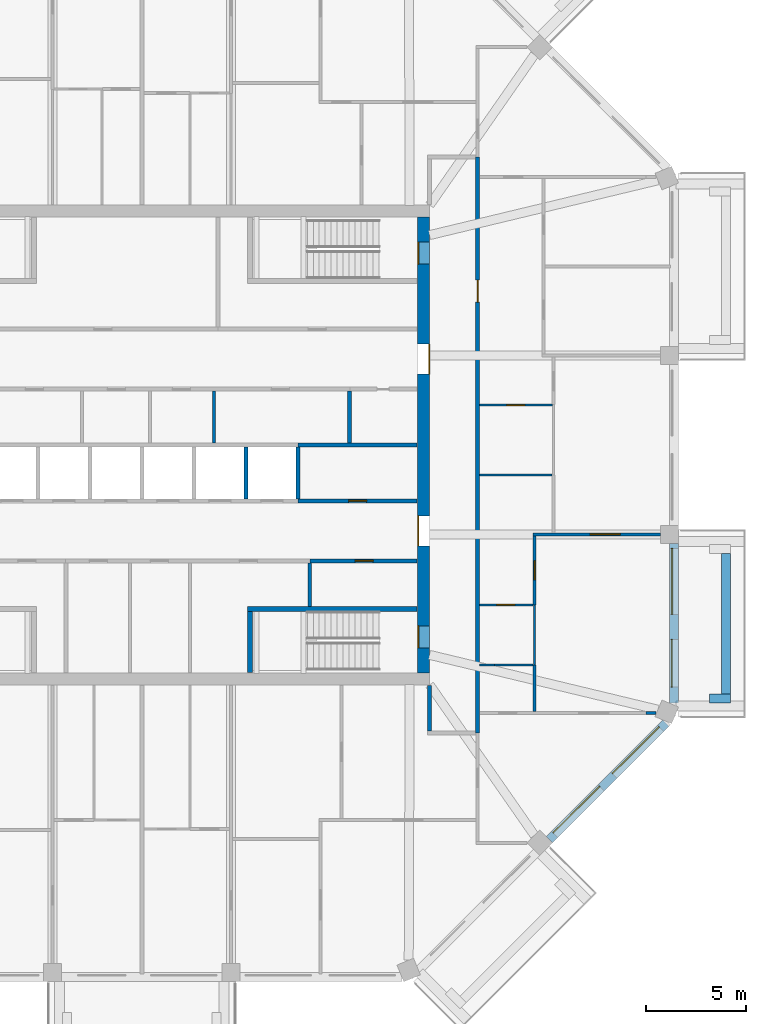
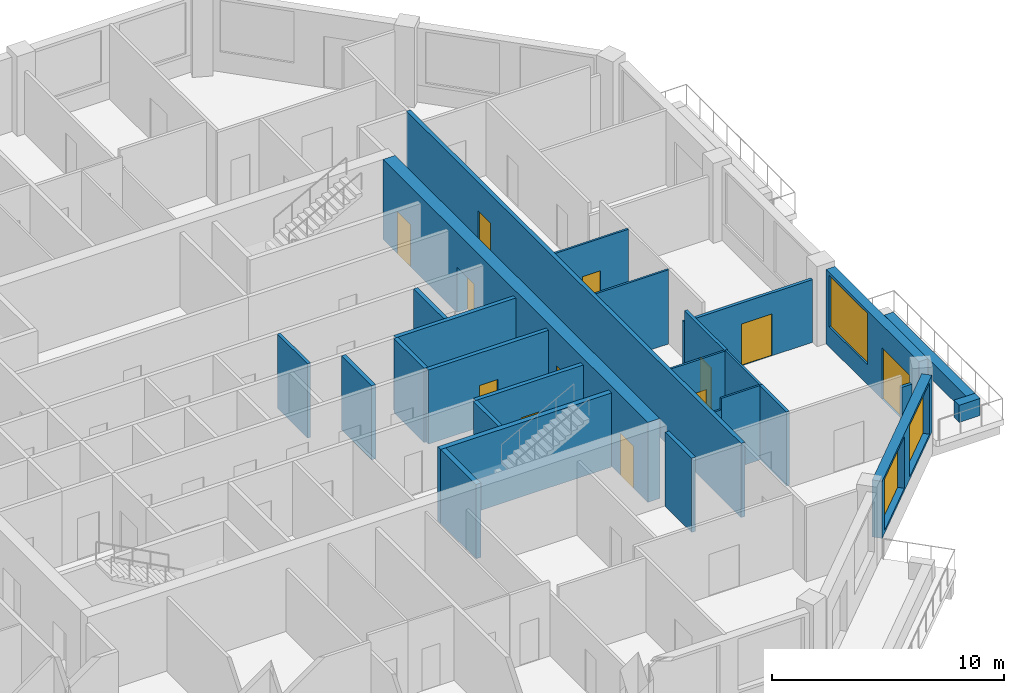
# One storey, part 6 of 12: 27 walls, 12 doors, 3 windows, 15 openings.
"""IFC4 building model written with IfcOpenShell, lengths in metres."""

from ifc_helpers import new_model, si_unit, direction, frame, frame_2d, origin, place, context, subcontext, project, spatial, rectangle, extrude, material, layer, layer_set, type_object, element, fill, save


model = new_model("IFC4")

# Units and contexts
model_context = context("Model", 3, precision=1e-05, world=origin(), true_north=direction((0.0, 1.0)))
body_context = subcontext(model_context, "Body", "Model", "MODEL_VIEW")
ifc_project = project(units=[si_unit("LENGTHUNIT", "METRE"), si_unit("AREAUNIT", "SQUARE_METRE"), si_unit("VOLUMEUNIT", "CUBIC_METRE"), si_unit("PLANEANGLEUNIT", "RADIAN"), si_unit("MASSUNIT", "GRAM", prefix="KILO")], contexts=[model_context])

# Site, building, storey
site_placement = place(None, origin())
site = spatial("IfcSite", under=ifc_project, at=site_placement, CompositionType="ELEMENT")
building_placement = place(site_placement, origin())
building = spatial("IfcBuilding", under=site, at=building_placement, Name="Msitu Wima Residences", CompositionType="ELEMENT")
storey_placement = place(building_placement, frame((0.0, 0.0, 306.300048828125)))
storey = spatial("IfcBuildingStorey", under=building, at=storey_placement, Name="L71", CompositionType="ELEMENT", Elevation=306.300048828125)

# Walls
ifc_material_1 = material(Name="Facing brick")
ifc_layer_1 = layer(ifc_material_1, 0.06494140625, Name="Facing brick")
ifc_material_2 = material(Name="Concrete C40/50", Category="concrete")
ifc_layer_2 = layer(ifc_material_2, 0.156005859375, Name="Concrete C40/50")
ifc_material_3 = material(Name="Waterproofing membrane")
ifc_layer_3 = layer(ifc_material_3, 0.00390625, Name="Waterproofing membrane")
ifc_material_4 = material(Name="Planting soil and planting")
ifc_layer_4 = layer(ifc_material_4, 0.22509765625, Name="Planting soil and planting")
ifc_layer_set_1 = layer_set([ifc_layer_1, ifc_layer_2, ifc_layer_3, ifc_layer_4], Name="Concrete C40/50")
wall_type_1 = type_object("IfcWallType", Name="Balcony planter PLANTER PL450", PredefinedType="USERDEFINED", material=ifc_layer_set_1)
wall_1_placement = place(storey_placement, frame((29.22509765625, -12.455810546875, 0.0), z_axis=(0.0, 0.0, 1.0), x_axis=(0.0, 1.0, 0.0)))
element("IfcWall", 1, at=wall_1_placement, inside=storey, type_object=wall_type_1, Name="Balcony planter E0 L71", ObjectType="PLANTER", PredefinedType="USERDEFINED", context=body_context, shape_type="SweptSolid", body=[
    extrude(rectangle(XDim=7.037109375, YDim=0.449951171875, at=frame_2d((3.5185546875, 0.0))), origin(), (0.0, 0.0, 1.0), 0.89990234375),
])
wall_2_placement = place(storey_placement, frame((28.39990234375, -12.680908203125, 0.0), z_axis=(0.0, 0.0, 1.0), x_axis=(1.0, 0.0, 0.0)))
element("IfcWall", 2, at=wall_2_placement, inside=storey, type_object=wall_type_1, Name="Balcony planter E0 L71", ObjectType="PLANTER", PredefinedType="USERDEFINED", context=body_context, shape_type="SweptSolid", body=[
    extrude(rectangle(XDim=1.050048828125, YDim=0.449951171875, at=frame_2d((0.52490234375, 0.0))), origin(), (0.0, 0.0, 1.0), 0.89990234375),
])

# Wall, openings, door, window
ifc_material_5 = material(Name="Brick (red buff mix)", Category="masonry")
ifc_layer_5 = layer(ifc_material_5, 0.449951171875)
ifc_layer_set_2 = layer_set([ifc_layer_5], Name="Brick (red buff mix)")
wall_type_2 = type_object("IfcWallType", Name="Brick infill wall BW450", PredefinedType="SOLIDWALL", material=ifc_layer_set_2)
wall_3_placement = place(storey_placement, frame((26.625, -12.918701171875, 0.0), z_axis=(0.0, 0.0, 1.0), x_axis=(0.0, 1.0, 0.0)))
wall_3 = element("IfcWall", 3, at=wall_3_placement, inside=storey, type_object=wall_type_2, Name="Brick infill wall L71 E0", PredefinedType="SOLIDWALL", context=body_context, shape_type="SweptSolid", body=[
    extrude(rectangle(XDim=8.0, YDim=0.449951171875, at=frame_2d((4.0, 0.0))), origin(), (0.0, 0.0, 1.0), 3.89990234375),
])
opening_1_placement = place(wall_3_placement, frame((0.800048828125, 0.0, 0.0)))
opening_1 = element("IfcOpeningElement", 4, at=opening_1_placement, cuts=wall_3, Name="Opening D71.001", PredefinedType="OPENING", context=body_context, shape_type="SweptSolid", body=[
    extrude(rectangle(XDim=2.39990234375, YDim=2.699951171875, at=frame_2d((1.199951171875, 1.35009765625))), frame((0.0, 0.23486328125, 0.0), z_axis=(0.0, -1.0, 0.0), x_axis=(1.0, 0.0, 0.0)), (0.0, 0.0, 1.0), 0.469970703125),
])
opening_2_placement = place(wall_3_placement, frame((4.4501953125, 0.0, 1.050048828125)))
opening_2 = element("IfcOpeningElement", 5, at=opening_2_placement, cuts=wall_3, Name="Opening W71.001", PredefinedType="OPENING", context=body_context, shape_type="SweptSolid", body=[
    extrude(rectangle(XDim=3.300048828125, YDim=2.699951171875, at=frame_2d((1.64990234375, 1.35009765625))), frame((0.0, 0.23486328125, 0.0), z_axis=(0.0, -1.0, 0.0), x_axis=(1.0, 0.0, 0.0)), (0.0, 0.0, 1.0), 0.469970703125),
])
ifc_material_6 = material(Name="Anodised aluminium, bronze finish, clear low-emissivity double glazing", Category="aluminium")
door_type_1 = type_object("IfcDoorType", Name="Balcony door D2400x2700", OperationType="SLIDING_TO_LEFT", PredefinedType="DOOR", material=ifc_material_6)
door_1_placement = place(opening_1_placement, origin())
door_1 = element("IfcDoor", 6, at=door_1_placement, inside=storey, type_object=door_type_1, Name="Balcony door L71 E0", OperationType="SINGLE_SWING_LEFT", OverallHeight=2.699951171875, OverallWidth=2.39990234375, PredefinedType="DOOR", context=body_context, shape_type="SweptSolid", body=[
    extrude(rectangle(XDim=2.39990234375, YDim=2.699951171875, at=frame_2d((1.199951171875, 1.35009765625))), frame((0.0, 0.1298828125, 0.0), z_axis=(0.0, -1.0, 0.0), x_axis=(1.0, 0.0, 0.0)), (0.0, 0.0, 1.0), 0.050048828125),
])
fill(opening_1, door_1)
window_type = type_object("IfcWindowType", Name="Window W3300x2700", PartitioningType="DOUBLE_PANEL_VERTICAL", PredefinedType="WINDOW", material=ifc_material_6)
window_1_placement = place(opening_2_placement, origin())
window_1 = element("IfcWindow", 7, at=window_1_placement, inside=storey, type_object=window_type, Name="Window L71 E0.2", OverallHeight=2.699951171875, OverallWidth=3.300048828125, PartitioningType="SINGLE_PANEL", PredefinedType="WINDOW", context=body_context, shape_type="SweptSolid", body=[
    extrude(rectangle(XDim=3.300048828125, YDim=2.699951171875, at=frame_2d((1.64990234375, 1.35009765625))), frame((0.0, 0.135009765625, 0.0), z_axis=(0.0, -1.0, 0.0), x_axis=(1.0, 0.0, 0.0)), (0.0, 0.0, 1.0), 0.06005859375),
])
fill(opening_2, window_1)

# Wall, openings, windows
wall_4_placement = place(storey_placement, frame((20.380126953125, -19.743896484375, 0.89990234375), z_axis=(0.0, 0.0, 1.0), x_axis=(0.707106781187, 0.707106781187, 0.0)))
wall_4 = element("IfcWall", 8, at=wall_4_placement, inside=storey, type_object=wall_type_2, Name="Brick infill wall L71 SE1", PredefinedType="SOLIDWALL", context=body_context, shape_type="SweptSolid", body=[
    extrude(rectangle(XDim=8.251220703125, YDim=0.449951171875, at=frame_2d((4.12548828125, 0.0))), origin(), (0.0, 0.0, 1.0), 3.0),
])
opening_3_placement = place(wall_4_placement, frame((0.37548828125, 0.0, 0.14990234375)))
opening_3 = element("IfcOpeningElement", 9, at=opening_3_placement, cuts=wall_4, Name="Opening W71.022", PredefinedType="OPENING", context=body_context, shape_type="SweptSolid", body=[
    extrude(rectangle(XDim=3.300048828125, YDim=2.699951171875, at=frame_2d((1.64990234375, 1.35009765625))), frame((0.0, 0.23486328125, 0.0), z_axis=(0.0, -1.0, 0.0), x_axis=(1.0, 0.0, 0.0)), (0.0, 0.0, 1.0), 0.469970703125),
])
opening_4_placement = place(wall_4_placement, frame((4.57568359375, 0.0, 0.14990234375)))
opening_4 = element("IfcOpeningElement", 10, at=opening_4_placement, cuts=wall_4, Name="Opening W71.023", PredefinedType="OPENING", context=body_context, shape_type="SweptSolid", body=[
    extrude(rectangle(XDim=3.300048828125, YDim=2.699951171875, at=frame_2d((1.64990234375, 1.35009765625))), frame((0.0, 0.23486328125, 0.0), z_axis=(0.0, -1.0, 0.0), x_axis=(1.0, 0.0, 0.0)), (0.0, 0.0, 1.0), 0.469970703125),
])
window_2_placement = place(opening_3_placement, origin())
window_2 = element("IfcWindow", 11, at=window_2_placement, inside=storey, type_object=window_type, Name="Window L71 SE1.1", OverallHeight=2.699951171875, OverallWidth=3.300048828125, PartitioningType="SINGLE_PANEL", PredefinedType="WINDOW", context=body_context, shape_type="SweptSolid", body=[
    extrude(rectangle(XDim=3.300048828125, YDim=2.699951171875, at=frame_2d((1.64990234375, 1.35009765625))), frame((0.0, 0.135009765625, 0.0), z_axis=(0.0, -1.0, 0.0), x_axis=(1.0, 0.0, 0.0)), (0.0, 0.0, 1.0), 0.06005859375),
])
fill(opening_3, window_2)
window_3_placement = place(opening_4_placement, origin())
window_3 = element("IfcWindow", 12, at=window_3_placement, inside=storey, type_object=window_type, Name="Window L71 SE1.2", OverallHeight=2.699951171875, OverallWidth=3.300048828125, PartitioningType="SINGLE_PANEL", PredefinedType="WINDOW", context=body_context, shape_type="SweptSolid", body=[
    extrude(rectangle(XDim=3.300048828125, YDim=2.699951171875, at=frame_2d((1.64990234375, 1.35009765625))), frame((0.0, 0.135009765625, 0.0), z_axis=(0.0, -1.0, 0.0), x_axis=(1.0, 0.0, 0.0)), (0.0, 0.0, 1.0), 0.06005859375),
])
fill(opening_4, window_3)

# Wall, openings, doors
ifc_material_7 = material(Name="Concrete C50/60", Category="concrete")
ifc_layer_6 = layer(ifc_material_7, 0.60009765625)
ifc_layer_set_3 = layer_set([ifc_layer_6], Name="Concrete C50/60")
wall_type_3 = type_object("IfcWallType", Name="Core wall CW600 C50/60", PredefinedType="SHEAR", material=ifc_layer_set_3)
wall_5_placement = place(storey_placement, frame((14.10009765625, -11.39990234375, 0.0), z_axis=(0.0, 0.0, 1.0), x_axis=(0.0, 1.0, 0.0)))
wall_5 = element("IfcWall", 13, at=wall_5_placement, inside=storey, type_object=wall_type_3, Name="Core wall", PredefinedType="SHEAR", context=body_context, shape_type="SweptSolid", body=[
    extrude(rectangle(XDim=22.7998046875, YDim=0.60009765625, at=frame_2d((11.39990234375, 0.0))), origin(), (0.0, 0.0, 1.0), 4.199951171875),
])
opening_5_placement = place(wall_5_placement, frame((20.449951171875, 0.0, 0.0)))
opening_5 = element("IfcOpeningElement", 14, at=opening_5_placement, cuts=wall_5, Name="Opening D71.088", PredefinedType="OPENING", context=body_context, shape_type="SweptSolid", body=[
    extrude(rectangle(XDim=1.10009765625, YDim=2.199951171875, at=frame_2d((0.550048828125, 1.10009765625))), frame((0.0, 0.31005859375, 0.0), z_axis=(0.0, -1.0, 0.0), x_axis=(1.0, 0.0, 0.0)), (0.0, 0.0, 1.0), 0.6201171875),
])
opening_6_placement = place(wall_5_placement, frame((1.25, 0.0, 0.0)))
opening_6 = element("IfcOpeningElement", 15, at=opening_6_placement, cuts=wall_5, Name="Opening D71.089", PredefinedType="OPENING", context=body_context, shape_type="SweptSolid", body=[
    extrude(rectangle(XDim=1.10009765625, YDim=2.199951171875, at=frame_2d((0.550048828125, 1.10009765625))), frame((0.0, 0.31005859375, 0.0), z_axis=(0.0, -1.0, 0.0), x_axis=(1.0, 0.0, 0.0)), (0.0, 0.0, 1.0), 0.6201171875),
])
opening_7_placement = place(wall_5_placement, frame((14.949951171875, 0.0, 0.0)))
opening_7 = element("IfcOpeningElement", 16, at=opening_7_placement, cuts=wall_5, Name="Opening D71.076", PredefinedType="OPENING", context=body_context, shape_type="SweptSolid", body=[
    extrude(rectangle(XDim=1.5, YDim=2.39990234375, at=frame_2d((0.75, 1.199951171875))), frame((0.0, 0.31005859375, 0.0), z_axis=(0.0, -1.0, 0.0), x_axis=(1.0, 0.0, 0.0)), (0.0, 0.0, 1.0), 0.6201171875),
])
opening_8_placement = place(wall_5_placement, frame((6.35009765625, 0.0, 0.0)))
opening_8 = element("IfcOpeningElement", 17, at=opening_8_placement, cuts=wall_5, Name="Opening D71.077", PredefinedType="OPENING", context=body_context, shape_type="SweptSolid", body=[
    extrude(rectangle(XDim=1.5, YDim=2.39990234375, at=frame_2d((0.75, 1.199951171875))), frame((0.0, 0.31005859375, 0.0), z_axis=(0.0, -1.0, 0.0), x_axis=(1.0, 0.0, 0.0)), (0.0, 0.0, 1.0), 0.6201171875),
])
ifc_material_8 = material(Name="Steel framed glazed door, fire resisting", Category="steel")
door_type_2 = type_object("IfcDoorType", Name="Lobby door D07 1500x2400", OperationType="DOUBLE_DOOR_SINGLE_SWING", PredefinedType="DOOR", material=ifc_material_8)
door_2_placement = place(opening_7_placement, origin())
door_2 = element("IfcDoor", 18, at=door_2_placement, inside=storey, type_object=door_type_2, Name="Lobby door", OperationType="DOUBLE_DOOR_SINGLE_SWING", OverallHeight=2.39990234375, OverallWidth=1.5, PredefinedType="DOOR", context=body_context, shape_type="SweptSolid", body=[
    extrude(rectangle(XDim=1.5, YDim=2.39990234375, at=frame_2d((0.75, 1.199951171875))), frame((0.0, -0.2451171875, 0.0), z_axis=(0.0, -1.0, 0.0), x_axis=(1.0, 0.0, 0.0)), (0.0, 0.0, 1.0), 0.050048828125),
])
fill(opening_7, door_2)
door_3_placement = place(opening_8_placement, origin())
door_3 = element("IfcDoor", 19, at=door_3_placement, inside=storey, type_object=door_type_2, Name="Lobby door", OperationType="DOUBLE_DOOR_SINGLE_SWING", OverallHeight=2.39990234375, OverallWidth=1.5, PredefinedType="DOOR", context=body_context, shape_type="SweptSolid", body=[
    extrude(rectangle(XDim=1.5, YDim=2.39990234375, at=frame_2d((0.75, 1.199951171875))), frame((0.0, 0.294921875, 0.0), z_axis=(0.0, -1.0, 0.0), x_axis=(1.0, 0.0, 0.0)), (0.0, 0.0, 1.0), 0.050048828125),
])
fill(opening_8, door_3)
ifc_material_9 = material(Name="Steel door, fire resisting, panic bar", Category="steel")
door_type_3 = type_object("IfcDoorType", Name="Stair door D06 1100x2200", OperationType="SINGLE_SWING_LEFT", PredefinedType="DOOR", material=ifc_material_9)
door_4_placement = place(opening_5_placement, origin())
door_4 = element("IfcDoor", 20, at=door_4_placement, inside=storey, type_object=door_type_3, Name="Stair door", OperationType="SINGLE_SWING_LEFT", OverallHeight=2.199951171875, OverallWidth=1.10009765625, PredefinedType="DOOR", context=body_context, shape_type="SweptSolid", body=[
    extrude(rectangle(XDim=1.10009765625, YDim=2.199951171875, at=frame_2d((0.550048828125, 1.10009765625))), frame((0.0, 0.294921875, 0.0), z_axis=(0.0, -1.0, 0.0), x_axis=(1.0, 0.0, 0.0)), (0.0, 0.0, 1.0), 0.050048828125),
])
fill(opening_5, door_4)
door_5_placement = place(opening_6_placement, origin())
door_5 = element("IfcDoor", 21, at=door_5_placement, inside=storey, type_object=door_type_3, Name="Stair door", OperationType="SINGLE_SWING_RIGHT", OverallHeight=2.199951171875, OverallWidth=1.10009765625, PredefinedType="DOOR", context=body_context, shape_type="SweptSolid", body=[
    extrude(rectangle(XDim=1.10009765625, YDim=2.199951171875, at=frame_2d((0.550048828125, 1.10009765625))), frame((0.0, 0.294921875, 0.0), z_axis=(0.0, -1.0, 0.0), x_axis=(1.0, 0.0, 0.0)), (0.0, 0.0, 1.0), 0.050048828125),
])
fill(opening_6, door_5)

# Wall
ifc_material_10 = material(Name="Plaster")
ifc_layer_7 = layer(ifc_material_10, 0.011962890625, Name="Plaster")
ifc_material_11 = material(Name="Concrete blockwork", Category="masonry")
ifc_layer_8 = layer(ifc_material_11, 0.176025390625, Name="Concrete blockwork")
ifc_layer_9 = layer(ifc_material_10, 0.011962890625, Name="Plaster")
ifc_layer_set_4 = layer_set([ifc_layer_7, ifc_layer_8, ifc_layer_9], Name="Concrete blockwork")
wall_type_4 = type_object("IfcWallType", Name="Corridor wall FW200", PredefinedType="PARTITIONING", material=ifc_layer_set_4)
wall_6_placement = place(storey_placement, frame((14.39990234375, -14.300048828125, 0.0), z_axis=(0.0, 0.0, 1.0), x_axis=(0.0, 1.0, 0.0)))
element("IfcWall", 22, at=wall_6_placement, inside=storey, type_object=wall_type_4, Name="Corridor wall", PredefinedType="PARTITIONING", context=body_context, shape_type="SweptSolid", body=[
    extrude(rectangle(XDim=2.27001953125, YDim=0.199951171875, at=frame_2d((1.135009765625, 0.0))), origin(), (0.0, 0.0, 1.0), 3.89990234375),
])

# Wall, opening, door
wall_7_placement = place(storey_placement, frame((16.800048828125, -14.39990234375, 0.0), z_axis=(0.0, 0.0, 1.0), x_axis=(0.0, 1.0, 0.0)))
wall_7 = element("IfcWall", 23, at=wall_7_placement, inside=storey, type_object=wall_type_4, Name="Corridor wall", PredefinedType="PARTITIONING", context=body_context, shape_type="SweptSolid", body=[
    extrude(rectangle(XDim=28.7998046875, YDim=0.199951171875, at=frame_2d((14.39990234375, 0.0))), origin(), (0.0, 0.0, 1.0), 3.89990234375),
])
opening_9_placement = place(wall_7_placement, frame((21.550048828125, 0.0, 0.0)))
opening_9 = element("IfcOpeningElement", 24, at=opening_9_placement, cuts=wall_7, Name="Opening D71.011", PredefinedType="OPENING", context=body_context, shape_type="SweptSolid", body=[
    extrude(rectangle(XDim=1.10009765625, YDim=2.39990234375, at=frame_2d((0.550048828125, 1.199951171875))), frame((0.0, 0.10986328125, 0.0), z_axis=(0.0, -1.0, 0.0), x_axis=(1.0, 0.0, 0.0)), (0.0, 0.0, 1.0), 0.219970703125),
])
ifc_material_12 = material(Name="Timber flush door, fire resisting, self-closing", Category="wood")
door_type_4 = type_object("IfcDoorType", Name="Flat entrance door D01 1100x2400", OperationType="SINGLE_SWING_LEFT", PredefinedType="DOOR", material=ifc_material_12)
door_6_placement = place(opening_9_placement, origin())
door_6 = element("IfcDoor", 25, at=door_6_placement, inside=storey, type_object=door_type_4, Name="Flat entrance door", OperationType="SINGLE_SWING_LEFT", OverallHeight=2.39990234375, OverallWidth=1.10009765625, PredefinedType="DOOR", context=body_context, shape_type="SweptSolid", body=[
    extrude(rectangle(XDim=1.10009765625, YDim=2.39990234375, at=frame_2d((0.550048828125, 1.199951171875))), frame((0.0, 0.02490234375, 0.0), z_axis=(0.0, -1.0, 0.0), x_axis=(1.0, 0.0, 0.0)), (0.0, 0.0, 1.0), 0.050048828125),
])
fill(opening_9, door_6)

# Walls
ifc_layer_10 = layer(ifc_material_10, 0.011962890625, Name="Plaster")
ifc_layer_11 = layer(ifc_material_11, 0.1259765625, Name="Concrete blockwork")
ifc_layer_12 = layer(ifc_material_10, 0.011962890625, Name="Plaster")
ifc_layer_set_5 = layer_set([ifc_layer_10, ifc_layer_11, ifc_layer_12], Name="Concrete blockwork")
wall_type_5 = type_object("IfcWallType", Name="Partition PW150", PredefinedType="PARTITIONING", material=ifc_layer_set_5)
wall_8_placement = place(storey_placement, frame((3.60009765625, 0.10009765625, 0.0), z_axis=(0.0, 0.0, 1.0), x_axis=(0.0, 1.0, 0.0)))
element("IfcWall", 26, at=wall_8_placement, inside=storey, type_object=wall_type_5, Name="Partition", PredefinedType="PARTITIONING", context=body_context, shape_type="SweptSolid", body=[
    extrude(rectangle(XDim=2.599853515625, YDim=0.14990234375, at=frame_2d((1.2998046875, 0.0))), origin(), (0.0, 0.0, 1.0), 3.89990234375),
])
wall_9_placement = place(storey_placement, frame((25.22412109375, -13.406005859375, 0.0), z_axis=(0.0, 0.0, 1.0), x_axis=(1.0, 0.0, 0.0)))
element("IfcWall", 27, at=wall_9_placement, inside=storey, type_object=wall_type_5, Name="Partition", PredefinedType="PARTITIONING", context=body_context, shape_type="SweptSolid", body=[
    extrude(rectangle(XDim=0.507080078125, YDim=0.14990234375, at=frame_2d((0.25341796875, 0.0))), origin(), (0.0, 0.0, 1.0), 3.300048828125),
])
wall_10_placement = place(storey_placement, frame((19.64990234375, -13.330810546875, 0.0), z_axis=(0.0, 0.0, 1.0), x_axis=(0.0, 1.0, 0.0)))
element("IfcWall", 28, at=wall_10_placement, inside=storey, type_object=wall_type_5, Name="Partition", PredefinedType="PARTITIONING", context=body_context, shape_type="SweptSolid", body=[
    extrude(rectangle(XDim=2.330810546875, YDim=0.14990234375, at=frame_2d((1.16552734375, 0.0))), origin(), (0.0, 0.0, 1.0), 3.89990234375),
])

# Wall, opening, door
wall_11_placement = place(storey_placement, frame((19.64990234375, -8.0, 0.0), z_axis=(0.0, 0.0, 1.0), x_axis=(0.0, 1.0, 0.0)))
wall_11 = element("IfcWall", 29, at=wall_11_placement, inside=storey, type_object=wall_type_5, Name="Partition", PredefinedType="PARTITIONING", context=body_context, shape_type="SweptSolid", body=[
    extrude(rectangle(XDim=3.456298828125, YDim=0.14990234375, at=frame_2d((1.72802734375, 0.0))), origin(), (0.0, 0.0, 1.0), 3.89990234375),
])
opening_10_placement = place(wall_11_placement, frame((1.25, 0.0, 0.0)))
opening_10 = element("IfcOpeningElement", 30, at=opening_10_placement, cuts=wall_11, Name="Opening D71.015", PredefinedType="OPENING", context=body_context, shape_type="SweptSolid", body=[
    extrude(rectangle(XDim=0.949951171875, YDim=2.199951171875, at=frame_2d((0.47509765625, 1.10009765625))), frame((0.0, 0.0849609375, 0.0), z_axis=(0.0, -1.0, 0.0), x_axis=(1.0, 0.0, 0.0)), (0.0, 0.0, 1.0), 0.169921875),
])
ifc_material_13 = material(Name="Timber flush door", Category="wood")
door_type_5 = type_object("IfcDoorType", Name="Room door D12 950x2200", OperationType="SINGLE_SWING_LEFT", PredefinedType="DOOR", material=ifc_material_13)
door_7_placement = place(opening_10_placement, origin())
door_7 = element("IfcDoor", 31, at=door_7_placement, inside=storey, type_object=door_type_5, Name="Room door", OperationType="SINGLE_SWING_LEFT", OverallHeight=2.199951171875, OverallWidth=0.949951171875, PredefinedType="DOOR", context=body_context, shape_type="SweptSolid", body=[
    extrude(rectangle(XDim=0.949951171875, YDim=2.199951171875, at=frame_2d((0.47509765625, 1.10009765625))), frame((0.0, 0.02490234375, 0.0), z_axis=(0.0, -1.0, 0.0), x_axis=(1.0, 0.0, 0.0)), (0.0, 0.0, 1.0), 0.050048828125),
])
fill(opening_10, door_7)

wall_12_placement = place(storey_placement, frame((19.574951171875, -4.46875, 0.0), z_axis=(0.0, 0.0, 1.0), x_axis=(1.0, 0.0, 0.0)))
wall_12 = element("IfcWall", 32, at=wall_12_placement, inside=storey, type_object=wall_type_5, Name="Partition", PredefinedType="PARTITIONING", context=body_context, shape_type="SweptSolid", body=[
    extrude(rectangle(XDim=6.375, YDim=0.14990234375, at=frame_2d((3.1875, 0.0))), origin(), (0.0, 0.0, 1.0), 3.300048828125),
])
opening_11_placement = place(wall_12_placement, frame((2.85009765625, 0.0, 0.0)))
opening_11 = element("IfcOpeningElement", 33, at=opening_11_placement, cuts=wall_12, Name="Opening D71.033", PredefinedType="OPENING", context=body_context, shape_type="SweptSolid", body=[
    extrude(rectangle(XDim=1.5, YDim=2.199951171875, at=frame_2d((0.75, 1.10009765625))), frame((0.0, 0.0849609375, 0.0), z_axis=(0.0, -1.0, 0.0), x_axis=(1.0, 0.0, 0.0)), (0.0, 0.0, 1.0), 0.169921875),
])
ifc_material_14 = material(Name="Timber double door", Category="wood")
door_type_6 = type_object("IfcDoorType", Name="Double door D04 1500x2200", OperationType="DOUBLE_DOOR_SINGLE_SWING", PredefinedType="DOOR", material=ifc_material_14)
door_8_placement = place(opening_11_placement, origin())
door_8 = element("IfcDoor", 34, at=door_8_placement, inside=storey, type_object=door_type_6, Name="Double door", OperationType="DOUBLE_DOOR_SINGLE_SWING", OverallHeight=2.199951171875, OverallWidth=1.5, PredefinedType="DOOR", context=body_context, shape_type="SweptSolid", body=[
    extrude(rectangle(XDim=1.5, YDim=2.199951171875, at=frame_2d((0.75, 1.10009765625))), frame((0.0, 0.02490234375, 0.0), z_axis=(0.0, -1.0, 0.0), x_axis=(1.0, 0.0, 0.0)), (0.0, 0.0, 1.0), 0.050048828125),
])
fill(opening_11, door_8)

ifc_layer_13 = layer(ifc_material_10, 0.011962890625, Name="Plaster")
ifc_material_15 = material(Name="Reinforced concrete blockwork", Category="masonry")
ifc_layer_14 = layer(ifc_material_15, 0.176025390625, Name="Reinforced concrete blockwork")
ifc_layer_15 = layer(ifc_material_10, 0.011962890625, Name="Plaster")
ifc_layer_set_6 = layer_set([ifc_layer_13, ifc_layer_14, ifc_layer_15], Name="Reinforced concrete blockwork")
wall_type_6 = type_object("IfcWallType", Name="Plant and riser wall PL200", PredefinedType="PARTITIONING", material=ifc_layer_set_6)
wall_13_placement = place(storey_placement, frame((7.800048828125, -2.800048828125, 0.0), z_axis=(0.0, 0.0, 1.0), x_axis=(1.0, 0.0, 0.0)))
wall_13 = element("IfcWall", 35, at=wall_13_placement, inside=storey, type_object=wall_type_6, Name="Plant and riser wall", PredefinedType="PARTITIONING", context=body_context, shape_type="SweptSolid", body=[
    extrude(rectangle(XDim=5.969970703125, YDim=0.199951171875, at=frame_2d((2.98486328125, 0.0))), origin(), (0.0, 0.0, 1.0), 3.89990234375),
])
opening_12_placement = place(wall_13_placement, frame((2.550048828125, 0.0, 0.0)))
opening_12 = element("IfcOpeningElement", 36, at=opening_12_placement, cuts=wall_13, Name="Opening D71.064", PredefinedType="OPENING", context=body_context, shape_type="SweptSolid", body=[
    extrude(rectangle(XDim=0.89990234375, YDim=2.199951171875, at=frame_2d((0.449951171875, 1.10009765625))), frame((0.0, 0.10986328125, 0.0), z_axis=(0.0, -1.0, 0.0), x_axis=(1.0, 0.0, 0.0)), (0.0, 0.0, 1.0), 0.219970703125),
])
door_type_7 = type_object("IfcDoorType", Name="Service door D05 900x2200", OperationType="SINGLE_SWING_LEFT", PredefinedType="DOOR", material=ifc_material_13)
door_9_placement = place(opening_12_placement, origin())
door_9 = element("IfcDoor", 37, at=door_9_placement, inside=storey, type_object=door_type_7, Name="Service door", OperationType="SINGLE_SWING_LEFT", OverallHeight=2.199951171875, OverallWidth=0.89990234375, PredefinedType="DOOR", context=body_context, shape_type="SweptSolid", body=[
    extrude(rectangle(XDim=0.89990234375, YDim=2.199951171875, at=frame_2d((0.449951171875, 1.10009765625))), frame((0.0, 0.02490234375, 0.0), z_axis=(0.0, -1.0, 0.0), x_axis=(1.0, 0.0, 0.0)), (0.0, 0.0, 1.0), 0.050048828125),
])
fill(opening_12, door_9)

# Wall
wall_14_placement = place(storey_placement, frame((7.800048828125, 0.0, 0.0), z_axis=(0.0, 0.0, 1.0), x_axis=(1.0, 0.0, 0.0)))
element("IfcWall", 38, at=wall_14_placement, inside=storey, type_object=wall_type_6, Name="Plant and riser wall", PredefinedType="PARTITIONING", context=body_context, shape_type="SweptSolid", body=[
    extrude(rectangle(XDim=5.969970703125, YDim=0.199951171875, at=frame_2d((2.98486328125, 0.0))), origin(), (0.0, 0.0, 1.0), 3.89990234375),
])

# Wall, opening, door
wall_15_placement = place(storey_placement, frame((8.419921875, -5.800048828125, 0.0), z_axis=(0.0, 0.0, 1.0), x_axis=(1.0, 0.0, 0.0)))
wall_15 = element("IfcWall", 39, at=wall_15_placement, inside=storey, type_object=wall_type_6, Name="Plant and riser wall", PredefinedType="PARTITIONING", context=body_context, shape_type="SweptSolid", body=[
    extrude(rectangle(XDim=5.35009765625, YDim=0.199951171875, at=frame_2d((2.675048828125, 0.0))), origin(), (0.0, 0.0, 1.0), 3.89990234375),
])
opening_13_placement = place(wall_15_placement, frame((2.25, 0.0, 0.0)))
opening_13 = element("IfcOpeningElement", 40, at=opening_13_placement, cuts=wall_15, Name="Opening D71.075", PredefinedType="OPENING", context=body_context, shape_type="SweptSolid", body=[
    extrude(rectangle(XDim=0.89990234375, YDim=2.199951171875, at=frame_2d((0.449951171875, 1.10009765625))), frame((0.0, 0.10986328125, 0.0), z_axis=(0.0, -1.0, 0.0), x_axis=(1.0, 0.0, 0.0)), (0.0, 0.0, 1.0), 0.219970703125),
])
door_10_placement = place(opening_13_placement, origin())
door_10 = element("IfcDoor", 41, at=door_10_placement, inside=storey, type_object=door_type_7, Name="Service door", OperationType="SINGLE_SWING_RIGHT", OverallHeight=2.199951171875, OverallWidth=0.89990234375, PredefinedType="DOOR", context=body_context, shape_type="SweptSolid", body=[
    extrude(rectangle(XDim=0.89990234375, YDim=2.199951171875, at=frame_2d((0.449951171875, 1.10009765625))), frame((0.0, 0.02490234375, 0.0), z_axis=(0.0, -1.0, 0.0), x_axis=(1.0, 0.0, 0.0)), (0.0, 0.0, 1.0), 0.050048828125),
])
fill(opening_13, door_10)

# Walls
wall_16_placement = place(storey_placement, frame((8.39990234375, -8.074951171875, 0.0), z_axis=(0.0, 0.0, 1.0), x_axis=(0.0, 1.0, 0.0)))
element("IfcWall", 42, at=wall_16_placement, inside=storey, type_object=wall_type_6, Name="Plant and riser wall", PredefinedType="PARTITIONING", context=body_context, shape_type="SweptSolid", body=[
    extrude(rectangle(XDim=2.175048828125, YDim=0.199951171875, at=frame_2d((1.08740234375, 0.0))), origin(), (0.0, 0.0, 1.0), 3.89990234375),
])
wall_17_placement = place(storey_placement, frame((10.39990234375, 0.10009765625, 0.0), z_axis=(0.0, 0.0, 1.0), x_axis=(0.0, 1.0, 0.0)))
element("IfcWall", 43, at=wall_17_placement, inside=storey, type_object=wall_type_6, Name="Plant and riser wall", PredefinedType="PARTITIONING", context=body_context, shape_type="SweptSolid", body=[
    extrude(rectangle(XDim=2.599853515625, YDim=0.199951171875, at=frame_2d((1.2998046875, 0.0))), origin(), (0.0, 0.0, 1.0), 3.89990234375),
])
ifc_material_16 = material(Name="Fire-rated board")
ifc_layer_16 = layer(ifc_material_16, 0.02490234375, Name="Fire-rated board")
ifc_material_17 = material(Name="Light-gauge stud framing with mineral wool")
ifc_layer_17 = layer(ifc_material_17, 0.14990234375, Name="Light-gauge stud framing with mineral wool")
ifc_layer_18 = layer(ifc_material_16, 0.02490234375, Name="Fire-rated board")
ifc_layer_set_7 = layer_set([ifc_layer_16, ifc_layer_17, ifc_layer_18], Name="Light-gauge stud framing with mineral wool")
wall_type_7 = type_object("IfcWallType", Name="Shaft wall SH200", PredefinedType="PARTITIONING", material=ifc_layer_set_7)
for number, where, z_axis, x_axis, name in (
    (44, (5.199951171875, -2.699951171875, 0.0), (0.0, 0.0, 1.0), (0.0, 1.0, 0.0), "Shaft wall"),
    (45, (7.800048828125, -2.699951171875, 0.0), (0.0, 0.0, 1.0), (0.0, 1.0, 0.0), "Shaft wall"),
):
    element("IfcWall", number, at=place(storey_placement, frame(where, z_axis=z_axis, x_axis=x_axis)), inside=storey, type_object=wall_type_7, Name=name, PredefinedType="PARTITIONING", context=body_context, shape_type="SweptSolid", body=[
        extrude(rectangle(XDim=2.599853515625, YDim=0.199951171875, at=frame_2d((1.2998046875, 0.0))), origin(), (0.0, 0.0, 1.0), 3.89990234375),
    ])
ifc_layer_19 = layer(ifc_material_7, 0.25)
ifc_layer_set_8 = layer_set([ifc_layer_19], Name="Concrete C50/60")
wall_type_8 = type_object("IfcWallType", Name="Stair enclosure wall SW250", PredefinedType="SHEAR", material=ifc_layer_set_8)
wall_18_placement = place(storey_placement, frame((5.39990234375, -11.3701171875, 0.0), z_axis=(0.0, 0.0, 1.0), x_axis=(0.0, 1.0, 0.0)))
element("IfcWall", 46, at=wall_18_placement, inside=storey, type_object=wall_type_8, Name="Stair enclosure wall", PredefinedType="SHEAR", context=body_context, shape_type="SweptSolid", body=[
    extrude(rectangle(XDim=3.045166015625, YDim=0.25, at=frame_2d((1.5224609375, 0.0))), origin(), (0.0, 0.0, 1.0), 3.89990234375),
])
wall_19_placement = place(storey_placement, frame((5.27490234375, -8.199951171875, 0.0), z_axis=(0.0, 0.0, 1.0), x_axis=(1.0, 0.0, 0.0)))
element("IfcWall", 47, at=wall_19_placement, inside=storey, type_object=wall_type_8, Name="Stair enclosure wall", PredefinedType="SHEAR", context=body_context, shape_type="SweptSolid", body=[
    extrude(rectangle(XDim=8.4951171875, YDim=0.25, at=frame_2d((4.24755859375, 0.0))), origin(), (0.0, 0.0, 1.0), 3.89990234375),
])
ifc_material_18 = material(Name="Ceramic tiles")
ifc_layer_20 = layer(ifc_material_18, 0.008056640625, Name="Ceramic tiles")
ifc_material_19 = material(Name="Moisture-resistant board")
ifc_layer_21 = layer(ifc_material_19, 0.012451171875, Name="Moisture-resistant board")
ifc_layer_22 = layer(ifc_material_17, 0.06689453125, Name="Light-gauge stud framing with mineral wool")
ifc_layer_23 = layer(ifc_material_19, 0.012451171875, Name="Moisture-resistant board")
ifc_layer_set_9 = layer_set([ifc_layer_20, ifc_layer_21, ifc_layer_22, ifc_layer_23], Name="Light-gauge stud framing with mineral wool")
wall_type_9 = type_object("IfcWallType", Name="Wet wall PW100", PredefinedType="PARTITIONING", material=ifc_layer_set_9)
wall_20_placement = place(storey_placement, frame((16.89990234375, -11.0, 0.0), z_axis=(0.0, 0.0, 1.0), x_axis=(1.0, 0.0, 0.0)))
element("IfcWall", 48, at=wall_20_placement, inside=storey, type_object=wall_type_9, Name="Wet wall", PredefinedType="PARTITIONING", context=body_context, shape_type="SweptSolid", body=[
    extrude(rectangle(XDim=0.75390625, YDim=0.10009765625, at=frame_2d((0.376953125, 0.0))), origin(), (0.0, 0.0, 1.0), 3.300048828125),
])
wall_21_placement = place(storey_placement, frame((17.65380859375, -11.0, 0.0), z_axis=(0.0, 0.0, 1.0), x_axis=(1.0, 0.0, 0.0)))
element("IfcWall", 49, at=wall_21_placement, inside=storey, type_object=wall_type_9, Name="Wet wall", PredefinedType="PARTITIONING", context=body_context, shape_type="SweptSolid", body=[
    extrude(rectangle(XDim=1.921142578125, YDim=0.10009765625, at=frame_2d((0.96044921875, 0.0))), origin(), (0.0, 0.0, 1.0), 3.89990234375),
])

# Wall, opening, door
wall_22_placement = place(storey_placement, frame((16.89990234375, -8.0, 0.0), z_axis=(0.0, 0.0, 1.0), x_axis=(1.0, 0.0, 0.0)))
wall_22 = element("IfcWall", 50, at=wall_22_placement, inside=storey, type_object=wall_type_9, Name="Wet wall", PredefinedType="PARTITIONING", context=body_context, shape_type="SweptSolid", body=[
    extrude(rectangle(XDim=2.675048828125, YDim=0.10009765625, at=frame_2d((1.33740234375, 0.0))), origin(), (0.0, 0.0, 1.0), 3.89990234375),
])
opening_14_placement = place(wall_22_placement, frame((0.85009765625, 0.0, 0.0)))
opening_14 = element("IfcOpeningElement", 51, at=opening_14_placement, cuts=wall_22, Name="Opening D71.016", PredefinedType="OPENING", context=body_context, shape_type="SweptSolid", body=[
    extrude(rectangle(XDim=0.89990234375, YDim=2.199951171875, at=frame_2d((0.449951171875, 1.10009765625))), frame((0.0, 0.06005859375, 0.0), z_axis=(0.0, -1.0, 0.0), x_axis=(1.0, 0.0, 0.0)), (0.0, 0.0, 1.0), 0.1201171875),
])
door_11_placement = place(opening_14_placement, origin())
door_11 = element("IfcDoor", 52, at=door_11_placement, inside=storey, type_object=door_type_7, Name="Service door", OperationType="SINGLE_SWING_LEFT", OverallHeight=2.199951171875, OverallWidth=0.89990234375, PredefinedType="DOOR", context=body_context, shape_type="SweptSolid", body=[
    extrude(rectangle(XDim=0.89990234375, YDim=2.199951171875, at=frame_2d((0.449951171875, 1.10009765625))), frame((0.0, 0.02490234375, 0.0), z_axis=(0.0, -1.0, 0.0), x_axis=(1.0, 0.0, 0.0)), (0.0, 0.0, 1.0), 0.050048828125),
])
fill(opening_14, door_11)

# Wall
wall_23_placement = place(storey_placement, frame((16.89990234375, -1.5, 0.0), z_axis=(0.0, 0.0, 1.0), x_axis=(1.0, 0.0, 0.0)))
element("IfcWall", 53, at=wall_23_placement, inside=storey, type_object=wall_type_9, Name="Wet wall", PredefinedType="PARTITIONING", context=body_context, shape_type="SweptSolid", body=[
    extrude(rectangle(XDim=3.625, YDim=0.10009765625, at=frame_2d((1.8125, 0.0))), origin(), (0.0, 0.0, 1.0), 3.89990234375),
])

# Wall, opening, door
wall_24_placement = place(storey_placement, frame((16.89990234375, 2.0, 0.0), z_axis=(0.0, 0.0, 1.0), x_axis=(1.0, 0.0, 0.0)))
wall_24 = element("IfcWall", 54, at=wall_24_placement, inside=storey, type_object=wall_type_9, Name="Wet wall", PredefinedType="PARTITIONING", context=body_context, shape_type="SweptSolid", body=[
    extrude(rectangle(XDim=3.650146484375, YDim=0.10009765625, at=frame_2d((1.8251953125, 0.0))), origin(), (0.0, 0.0, 1.0), 3.89990234375),
])
opening_15_placement = place(wall_24_placement, frame((1.35009765625, 0.0, 0.0)))
opening_15 = element("IfcOpeningElement", 55, at=opening_15_placement, cuts=wall_24, Name="Opening D71.023", PredefinedType="OPENING", context=body_context, shape_type="SweptSolid", body=[
    extrude(rectangle(XDim=0.89990234375, YDim=2.199951171875, at=frame_2d((0.449951171875, 1.10009765625))), frame((0.0, 0.06005859375, 0.0), z_axis=(0.0, -1.0, 0.0), x_axis=(1.0, 0.0, 0.0)), (0.0, 0.0, 1.0), 0.1201171875),
])
ifc_material_20 = material(Name="Timber flush door, moisture resistant", Category="wood")
door_type_8 = type_object("IfcDoorType", Name="Bathroom door D03 900x2200", OperationType="SINGLE_SWING_LEFT", PredefinedType="DOOR", material=ifc_material_20)
door_12_placement = place(opening_15_placement, origin())
door_12 = element("IfcDoor", 56, at=door_12_placement, inside=storey, type_object=door_type_8, Name="Bathroom door", OperationType="SINGLE_SWING_RIGHT", OverallHeight=2.199951171875, OverallWidth=0.89990234375, PredefinedType="DOOR", context=body_context, shape_type="SweptSolid", body=[
    extrude(rectangle(XDim=0.89990234375, YDim=2.199951171875, at=frame_2d((0.449951171875, 1.10009765625))), frame((0.0, 0.02490234375, 0.0), z_axis=(0.0, -1.0, 0.0), x_axis=(1.0, 0.0, 0.0)), (0.0, 0.0, 1.0), 0.050048828125),
])
fill(opening_15, door_12)

# Wall
wall_25_placement = place(storey_placement, frame((19.64990234375, -11.0, 0.0), z_axis=(0.0, 0.0, 1.0), x_axis=(0.0, 1.0, 0.0)))
element("IfcWall", 57, at=wall_25_placement, inside=storey, type_object=wall_type_9, Name="Wet wall", PredefinedType="PARTITIONING", context=body_context, shape_type="SweptSolid", body=[
    extrude(rectangle(XDim=3.0, YDim=0.10009765625, at=frame_2d((1.5, 0.0))), origin(), (0.0, 0.0, 1.0), 3.89990234375),
])

save(model, "model.ifc")
